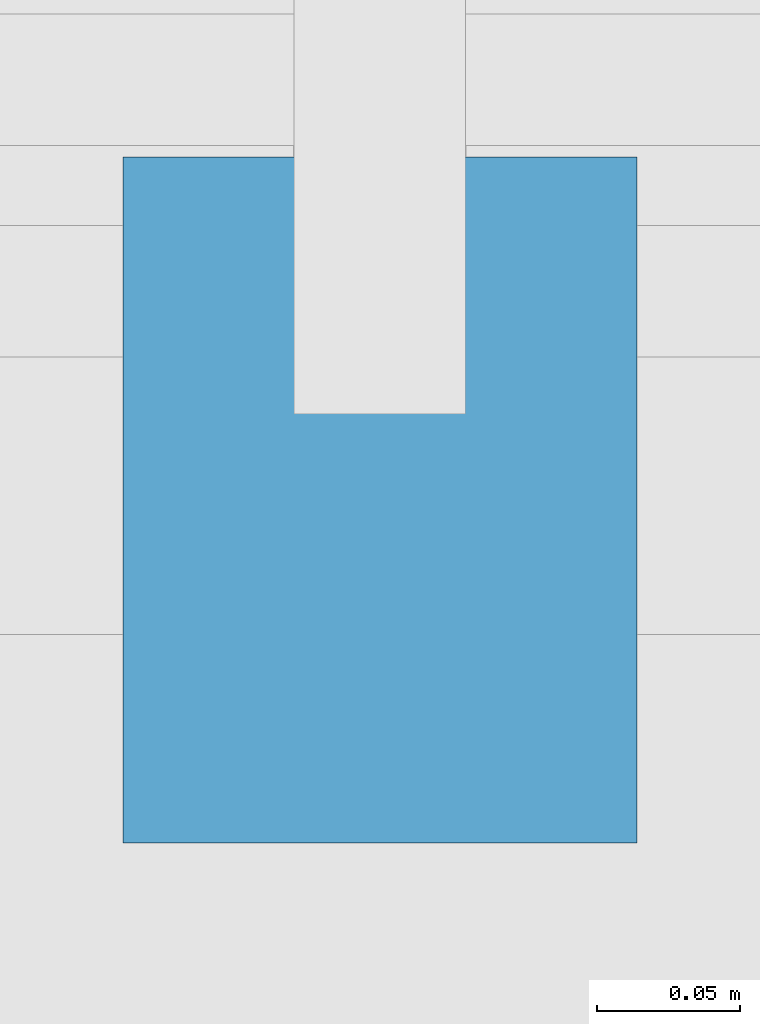
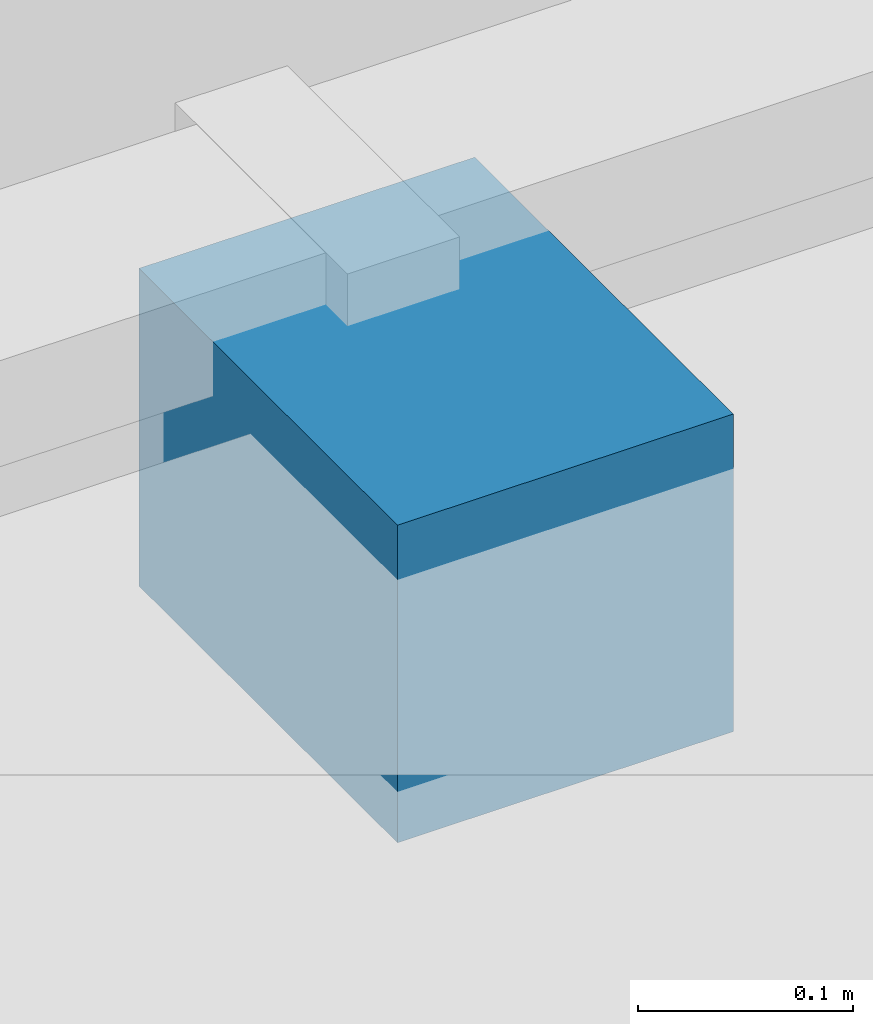
# One storey, part 68 of 96: 1 discrete accessory.
"""IFC4 building model written with IfcOpenShell, lengths in metres."""

from ifc_helpers import new_model, si_unit, direction, frame, origin, origin_2d, place, context, subcontext, project, spatial, rectangle, extrude, material, type_object, element, save


model = new_model("IFC4")

# Units and contexts
model_context = context("Model", 3, precision=1e-05, world=origin(), true_north=direction((0.0, 1.0)))
body_context = subcontext(model_context, "Body", "Model", "MODEL_VIEW")
ifc_project = project(units=[si_unit("LENGTHUNIT", "METRE"), si_unit("AREAUNIT", "SQUARE_METRE"), si_unit("VOLUMEUNIT", "CUBIC_METRE"), si_unit("PLANEANGLEUNIT", "RADIAN"), si_unit("MASSUNIT", "GRAM", prefix="KILO")], contexts=[model_context])

# Site, building, storey
site_placement = place(None, origin())
site = spatial("IfcSite", under=ifc_project, at=site_placement, CompositionType="ELEMENT")
building_placement = place(site_placement, origin())
building = spatial("IfcBuilding", under=site, at=building_placement, Name="Kisiwana Market Hall", CompositionType="ELEMENT")
storey_placement = place(building_placement, frame((0.0, 0.0, 25.5)))
storey = spatial("IfcBuildingStorey", under=building, at=storey_placement, Name="L05", CompositionType="ELEMENT", Elevation=25.5)

# Discrete accessory
ifc_material = material(Name="Steel S355", Category="steel")
discrete_accessory_type = type_object("IfcDiscreteAccessoryType", Name="ACC-BRACKET-STL", PredefinedType="BRACKET", material=ifc_material)
discrete_accessory_placement = place(storey_placement, frame((126.0, 17.889892578125, 3.44482421875), z_axis=(0.0, 0.0, 1.0), x_axis=(1.0, 0.0, 0.0)))
element("IfcDiscreteAccessory", 1, at=discrete_accessory_placement, inside=storey, type_object=discrete_accessory_type, Name="Sunshade steel bracket BRK-083", PredefinedType="BRACKET", context=body_context, shape_type="SweptSolid", body=[
    extrude(rectangle(XDim=0.179931640625, YDim=0.239990234375, at=origin_2d()), origin(), (0.0, 0.0, 1.0), 0.179931640625),
])

save(model, "model.ifc")
